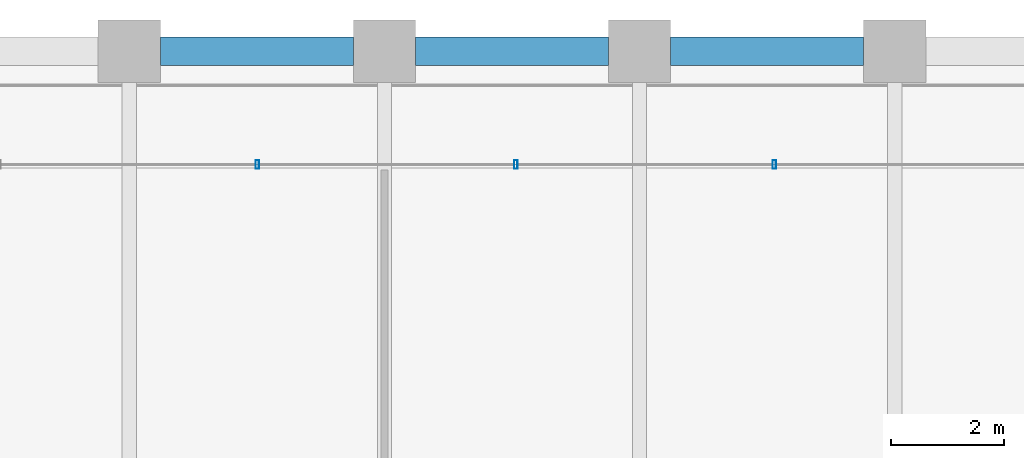
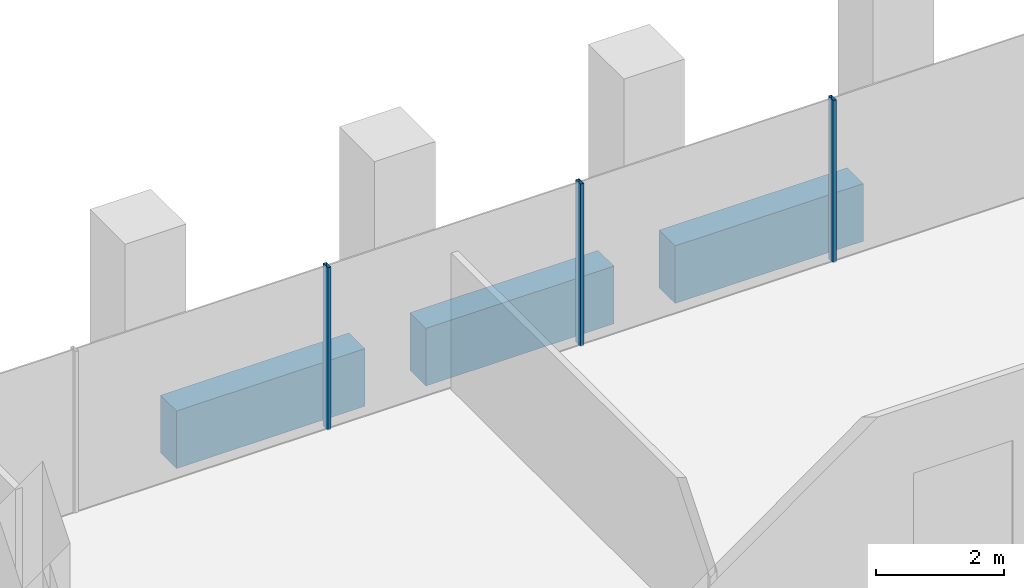
# One storey, part 29 of 56: 3 beams, 3 members, 1 element without a shape of its own.
"""IFC4 building model written with IfcOpenShell, lengths in metres."""

from ifc_helpers import new_model, si_unit, direction, frame, origin, origin_2d, place, context, subcontext, project, spatial, rectangle, hollow_rectangle, extrude, material, material_profile, profile_set, type_object, element, aggregate, save


model = new_model("IFC4")

# Units and contexts
model_context = context("Model", 3, precision=1e-05, world=origin(), true_north=direction((0.0, 1.0)))
body_context = subcontext(model_context, "Body", "Model", "MODEL_VIEW")
ifc_project = project(units=[si_unit("LENGTHUNIT", "METRE"), si_unit("AREAUNIT", "SQUARE_METRE"), si_unit("VOLUMEUNIT", "CUBIC_METRE"), si_unit("PLANEANGLEUNIT", "RADIAN"), si_unit("MASSUNIT", "GRAM", prefix="KILO")], contexts=[model_context])

# Site, building, storey
site_placement = place(None, origin())
site = spatial("IfcSite", under=ifc_project, at=site_placement, CompositionType="ELEMENT")
building_placement = place(site_placement, origin())
building = spatial("IfcBuilding", under=site, at=building_placement, Name="Altepetl Exchange Towers", CompositionType="ELEMENT")
storey_placement = place(building_placement, frame((0.0, 0.0, 83.39990234375)))
storey = spatial("IfcBuildingStorey", under=building, at=storey_placement, Name="L20", CompositionType="ELEMENT", Elevation=83.39990234375)

# Curtain wall, members
ifc_material_1 = material(Name="Aluminium 6063-T6 glazing", Category="aluminium")
curtain_wall_type = type_object("IfcCurtainWallType", Name="Loggia glazing system", PredefinedType="NOTDEFINED", material=ifc_material_1)
curtain_wall_placement = place(storey_placement, origin())
curtain_wall = element("IfcCurtainWall", 1, at=curtain_wall_placement, inside=storey, type_object=curtain_wall_type, Name="CW1 run", PredefinedType="NOTDEFINED")
ifc_material_2 = material(Name="Aluminium 6063-T6", Category="aluminium")
ifc_material_profile_1 = material_profile(ifc_material_2, hollow_rectangle(XDim=0.06005859375, YDim=0.14990234375, WallThickness=0.0029296875, at=origin_2d()), Name="Mullion 60x150 aluminium")
ifc_profile_set_1 = profile_set([ifc_material_profile_1], Name="Aluminium 6063-T6")
member_type = type_object("IfcMemberType", Name="Mullion 60x150 aluminium", PredefinedType="MULLION", material=ifc_profile_set_1)
member_1_placement = place(storey_placement, frame((56.378662109375, 70.0, 0.0), z_axis=(0.0, 0.0, 1.0), x_axis=(-1.0, 0.0, 0.0)))
member_1 = element("IfcMember", 2, at=member_1_placement, type_object=member_type, Name="MU1 mullion", PredefinedType="MULLION", context=body_context, shape_type="SweptSolid", body=[
    extrude(hollow_rectangle(XDim=0.06005859375, YDim=0.14990234375, WallThickness=0.0029296875, at=origin_2d()), origin(), (0.0, 0.0, 1.0), 3.10009765625),
])
member_2_placement = place(storey_placement, frame((51.81787109375, 70.0, 0.0), z_axis=(0.0, 0.0, 1.0), x_axis=(-1.0, 0.0, 0.0)))
member_2 = element("IfcMember", 3, at=member_2_placement, type_object=member_type, Name="MU1 mullion", PredefinedType="MULLION", context=body_context, shape_type="SweptSolid", body=[
    extrude(hollow_rectangle(XDim=0.06005859375, YDim=0.14990234375, WallThickness=0.0029296875, at=origin_2d()), origin(), (0.0, 0.0, 1.0), 3.10009765625),
])
member_3_placement = place(storey_placement, frame((47.257080078125, 70.0, 0.0), z_axis=(0.0, 0.0, 1.0), x_axis=(-1.0, 0.0, 0.0)))
member_3 = element("IfcMember", 4, at=member_3_placement, type_object=member_type, Name="MU1 mullion", PredefinedType="MULLION", context=body_context, shape_type="SweptSolid", body=[
    extrude(hollow_rectangle(XDim=0.06005859375, YDim=0.14990234375, WallThickness=0.0029296875, at=origin_2d()), origin(), (0.0, 0.0, 1.0), 3.10009765625),
])
aggregate(curtain_wall, [member_1, member_2, member_3])

# Beams
ifc_material_3 = material(Name="Concrete C50/60 precast with cantera rosa facing", Category="concrete")
ifc_material_profile_2 = material_profile(ifc_material_3, rectangle(XDim=0.5, YDim=1.10009765625, at=origin_2d()), Name="500 x 1100")
ifc_profile_set_2 = profile_set([ifc_material_profile_2], Name="Concrete C50/60 precast with cantera rosa facing")
beam_type = type_object("IfcBeamType", Name="Spandrel beam 500x1100 cantera rosa", PredefinedType="SPANDREL", material=ifc_profile_set_2)
for number, where, z_axis, x_axis, name in (
    (5, (57.949951171875, 72.0, -0.699951171875), (-1.0, 0.0, 0.0), (0.0, -1.0, 0.0), "sp:A:L20:026"),
    (6, (53.449951171875, 72.0, -0.699951171875), (-1.0, 0.0, 0.0), (0.0, -1.0, 0.0), "sp:A:L20:027"),
    (7, (48.949951171875, 72.0, -0.699951171875), (-1.0, 0.0, 0.0), (0.0, -1.0, 0.0), "sp:A:L20:028"),
):
    element("IfcBeam", number, at=place(storey_placement, frame(where, z_axis=z_axis, x_axis=x_axis)), inside=storey, type_object=beam_type, Name=name, PredefinedType="SPANDREL", context=body_context, shape_type="SweptSolid", body=[
        extrude(rectangle(XDim=0.5, YDim=1.10009765625, at=origin_2d()), origin(), (0.0, 0.0, 1.0), 3.39990234375),
    ])

save(model, "model.ifc")
